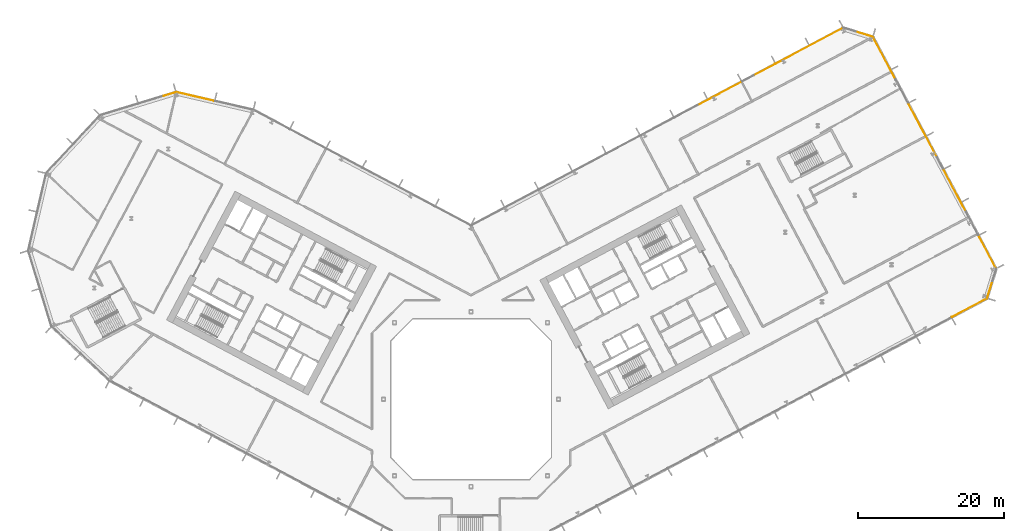
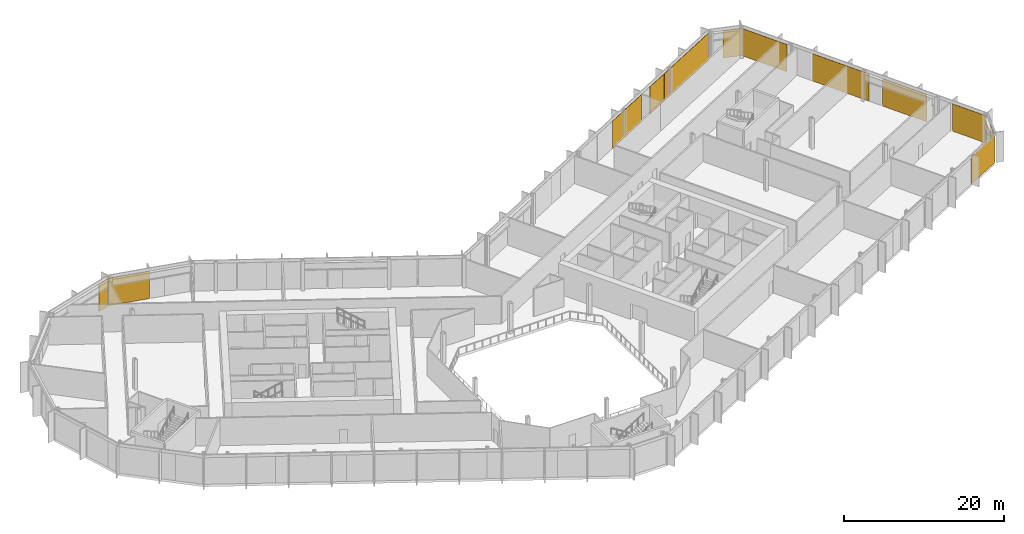
# One storey, part 31 of 31: 12 coverings, 7 elements without a shape of their own.
"""IFC4 building model written with IfcOpenShell, lengths in metres."""

from ifc_helpers import new_model, si_unit, direction, frame, origin, origin_2d, place, context, subcontext, project, spatial, rectangle, extrude, material, layer, layer_set, type_object, element, aggregate, save


model = new_model("IFC4")

# Units and contexts
model_context = context("Model", 3, precision=1e-05, world=origin(), true_north=direction((0.0, 1.0)))
body_context = subcontext(model_context, "Body", "Model", "MODEL_VIEW")
ifc_project = project(units=[si_unit("LENGTHUNIT", "METRE"), si_unit("AREAUNIT", "SQUARE_METRE"), si_unit("VOLUMEUNIT", "CUBIC_METRE"), si_unit("PLANEANGLEUNIT", "RADIAN"), si_unit("MASSUNIT", "GRAM", prefix="KILO")], contexts=[model_context])

# Site, building, storey
site_placement = place(None, origin())
site = spatial("IfcSite", under=ifc_project, at=site_placement, CompositionType="ELEMENT")
building_placement = place(site_placement, origin())
building = spatial("IfcBuilding", under=site, at=building_placement, Name="Cormorant Relay Tower", CompositionType="ELEMENT")
storey_placement = place(building_placement, frame((0.0, 0.0, 93.800048828125)))
storey = spatial("IfcBuildingStorey", under=building, at=storey_placement, Name="L18", CompositionType="ELEMENT", Elevation=93.800048828125)

# Curtain wall, covering
ifc_material_1 = material(Name="Aluminium 6063-T6 anodised bronze", Category="aluminium")
ifc_layer_1 = layer(ifc_material_1, 0.199951171875)
ifc_layer_set_1 = layer_set([ifc_layer_1], Name="CW1 unitised bronze curtain wall with vertical fins")
curtain_wall_type = type_object("IfcCurtainWallType", Name="CW1 unitised bronze curtain wall with vertical fins", PredefinedType="NOTDEFINED", material=ifc_layer_set_1)
curtain_wall_1_placement = place(storey_placement, origin())
curtain_wall_1 = element("IfcCurtainWall", 1, at=curtain_wall_1_placement, inside=storey, type_object=curtain_wall_type, Name="CW1 curtain wall 2", PredefinedType="NOTDEFINED")
ifc_material_2 = material(Name="Pale bronze anodised aluminium insulated panel", Category="aluminium")
ifc_layer_2 = layer(ifc_material_2, 0.0400390625)
ifc_layer_set_2 = layer_set([ifc_layer_2], Name="CW1 pale bronze insulated panel 40")
covering_type = type_object("IfcCoveringType", Name="CW1 pale bronze insulated panel 40", PredefinedType="CLADDING", material=ifc_layer_set_2)
covering_1_placement = place(storey_placement, frame((68.391357421875, 12.557861328125, 0.0), z_axis=(0.0, 0.0, 1.0), x_axis=(0.882947592859, 0.469471562786, 0.0)))
covering_1 = element("IfcCovering", 2, at=covering_1_placement, type_object=covering_type, Name="CW1 panel S14", PredefinedType="CLADDING", context=body_context, shape_type="SweptSolid", body=[
    extrude(rectangle(XDim=5.436767578125, YDim=0.0400390625, at=origin_2d()), origin(), (0.0, 0.0, 1.0), 4.14990234375),
])
aggregate(curtain_wall_1, [covering_1])

curtain_wall_2_placement = place(storey_placement, origin())
curtain_wall_2 = element("IfcCurtainWall", 3, at=curtain_wall_2_placement, inside=storey, type_object=curtain_wall_type, Name="CW1 curtain wall 3", PredefinedType="NOTDEFINED")
covering_2_placement = place(storey_placement, frame((71.16943359375, 15.049560546875, 0.0), z_axis=(0.0, 0.0, 1.0), x_axis=(0.292371704723, 0.956304755963, 0.0)))
covering_2 = element("IfcCovering", 4, at=covering_2_placement, type_object=covering_type, Name="CW1 panel S00", PredefinedType="CLADDING", context=body_context, shape_type="SweptSolid", body=[
    extrude(rectangle(XDim=2.36767578125, YDim=0.0400390625, at=origin_2d()), origin(), (0.0, 0.0, 1.0), 4.14990234375),
])
aggregate(curtain_wall_2, [covering_2])

# Curtain wall, coverings
curtain_wall_3_placement = place(storey_placement, origin())
curtain_wall_3 = element("IfcCurtainWall", 5, at=curtain_wall_3_placement, inside=storey, type_object=curtain_wall_type, Name="CW1 curtain wall 4", PredefinedType="NOTDEFINED")
covering_3_placement = place(storey_placement, frame((70.833251953125, 20.188720703125, 0.0), z_axis=(0.0, 0.0, 1.0), x_axis=(-0.469471562786, 0.882947592859, 0.0)))
covering_3 = element("IfcCovering", 6, at=covering_3_placement, type_object=covering_type, Name="CW1 panel S00", PredefinedType="CLADDING", context=body_context, shape_type="SweptSolid", body=[
    extrude(rectangle(XDim=4.992919921875, YDim=0.0400390625, at=origin_2d()), origin(), (0.0, 0.0, 1.0), 4.14990234375),
])
covering_4_placement = place(storey_placement, frame((66.366455078125, 28.58935546875, 0.0), z_axis=(0.0, 0.0, 1.0), x_axis=(-0.469471562786, 0.882947592859, 0.0)))
covering_4 = element("IfcCovering", 7, at=covering_4_placement, type_object=covering_type, Name="CW1 panel S02", PredefinedType="CLADDING", context=body_context, shape_type="SweptSolid", body=[
    extrude(rectangle(XDim=6.53564453125, YDim=0.0400390625, at=origin_2d()), origin(), (0.0, 0.0, 1.0), 4.14990234375),
])
covering_5_placement = place(storey_placement, frame((61.960205078125, 36.87646484375, 0.0), z_axis=(0.0, 0.0, 1.0), x_axis=(-0.469471562786, 0.882947592859, 0.0)))
covering_5 = element("IfcCovering", 8, at=covering_5_placement, type_object=covering_type, Name="CW1 panel S04", PredefinedType="CLADDING", context=body_context, shape_type="SweptSolid", body=[
    extrude(rectangle(XDim=8.335693359375, YDim=0.0400390625, at=origin_2d()), origin(), (0.0, 0.0, 1.0), 4.14990234375),
])
covering_6_placement = place(storey_placement, frame((56.691162109375, 46.785888671875, 0.0), z_axis=(0.0, 0.0, 1.0), x_axis=(-0.469471562786, 0.882947592859, 0.0)))
covering_6 = element("IfcCovering", 9, at=covering_6_placement, type_object=covering_type, Name="CW1 panel S06", PredefinedType="CLADDING", context=body_context, shape_type="SweptSolid", body=[
    extrude(rectangle(XDim=6.610595703125, YDim=0.0400390625, at=origin_2d()), origin(), (0.0, 0.0, 1.0), 4.14990234375),
])
aggregate(curtain_wall_3, [covering_3, covering_4, covering_5, covering_6])

# Curtain wall, covering
curtain_wall_4_placement = place(storey_placement, origin())
curtain_wall_4 = element("IfcCurtainWall", 10, at=curtain_wall_4_placement, inside=storey, type_object=curtain_wall_type, Name="CW1 curtain wall 5", PredefinedType="NOTDEFINED")
covering_7_placement = place(storey_placement, frame((53.923828125, 50.082275390625, 0.0), z_axis=(0.0, 0.0, 1.0), x_axis=(-0.956304755963, 0.292371704723, 0.0)))
covering_7 = element("IfcCovering", 11, at=covering_7_placement, type_object=covering_type, Name="CW1 panel S00", PredefinedType="CLADDING", context=body_context, shape_type="SweptSolid", body=[
    extrude(rectangle(XDim=2.36767578125, YDim=0.0400390625, at=origin_2d()), origin(), (0.0, 0.0, 1.0), 4.14990234375),
])
aggregate(curtain_wall_4, [covering_7])

# Curtain wall, coverings
curtain_wall_5_placement = place(storey_placement, origin())
curtain_wall_5 = element("IfcCurtainWall", 12, at=curtain_wall_5_placement, inside=storey, type_object=curtain_wall_type, Name="CW1 curtain wall 6", PredefinedType="NOTDEFINED")
covering_8_placement = place(storey_placement, frame((46.412841796875, 48.48486328125, 0.0), z_axis=(0.0, 0.0, 1.0), x_axis=(-0.882947592859, -0.469471562786, 0.0)))
covering_8 = element("IfcCovering", 13, at=covering_8_placement, type_object=covering_type, Name="CW1 panel S00", PredefinedType="CLADDING", context=body_context, shape_type="SweptSolid", body=[
    extrude(rectangle(XDim=10.365234375, YDim=0.0400390625, at=origin_2d()), origin(), (0.0, 0.0, 1.0), 4.14990234375),
])
covering_9_placement = place(storey_placement, frame((40.244140625, 45.204833984375, 0.0), z_axis=(0.0, 0.0, 1.0), x_axis=(-0.882947592859, -0.469471562786, 0.0)))
covering_9 = element("IfcCovering", 14, at=covering_9_placement, type_object=covering_type, Name="CW1 panel S01", PredefinedType="CLADDING", context=body_context, shape_type="SweptSolid", body=[
    extrude(rectangle(XDim=3.3076171875, YDim=0.0400390625, at=origin_2d()), origin(), (0.0, 0.0, 1.0), 4.14990234375),
])
covering_10_placement = place(storey_placement, frame((34.075439453125, 41.9248046875, 0.0), z_axis=(0.0, 0.0, 1.0), x_axis=(-0.882947592859, -0.469471562786, 0.0)))
covering_10 = element("IfcCovering", 15, at=covering_10_placement, type_object=covering_type, Name="CW1 panel S03", PredefinedType="CLADDING", context=body_context, shape_type="SweptSolid", body=[
    extrude(rectangle(XDim=6.765380859375, YDim=0.0400390625, at=origin_2d()), origin(), (0.0, 0.0, 1.0), 4.14990234375),
])
aggregate(curtain_wall_5, [covering_8, covering_9, covering_10])

# Curtain wall, covering
curtain_wall_6_placement = place(storey_placement, origin())
curtain_wall_6 = element("IfcCurtainWall", 16, at=curtain_wall_6_placement, inside=storey, type_object=curtain_wall_type, Name="CW1 curtain wall 8", PredefinedType="NOTDEFINED")
covering_11_placement = place(storey_placement, frame((-37.849609375, 41.530029296875, 0.0), z_axis=(0.0, 0.0, 1.0), x_axis=(-0.974370064785, 0.224951054344, 0.0)))
covering_11 = element("IfcCovering", 17, at=covering_11_placement, type_object=covering_type, Name="CW1 panel S02", PredefinedType="CLADDING", context=body_context, shape_type="SweptSolid", body=[
    extrude(rectangle(XDim=5.360107421875, YDim=0.0400390625, at=origin_2d()), origin(), (0.0, 0.0, 1.0), 4.14990234375),
])
aggregate(curtain_wall_6, [covering_11])

curtain_wall_7_placement = place(storey_placement, origin())
curtain_wall_7 = element("IfcCurtainWall", 18, at=curtain_wall_7_placement, inside=storey, type_object=curtain_wall_type, Name="CW1 curtain wall 9", PredefinedType="NOTDEFINED")
covering_12_placement = place(storey_placement, frame((-41.348876953125, 41.8642578125, 0.0), z_axis=(0.0, 0.0, 1.0), x_axis=(-0.956304755963, -0.292371704723, 0.0)))
covering_12 = element("IfcCovering", 19, at=covering_12_placement, type_object=covering_type, Name="CW1 panel S00", PredefinedType="CLADDING", context=body_context, shape_type="SweptSolid", body=[
    extrude(rectangle(XDim=1.685302734375, YDim=0.0400390625, at=origin_2d()), origin(), (0.0, 0.0, 1.0), 4.14990234375),
])
aggregate(curtain_wall_7, [covering_12])

save(model, "model.ifc")
